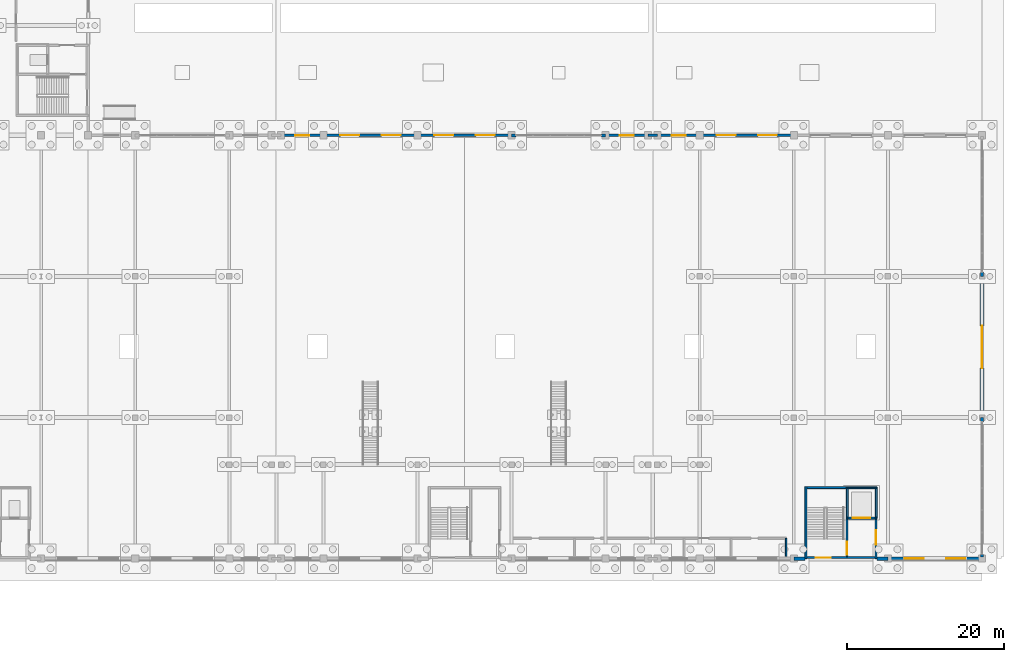
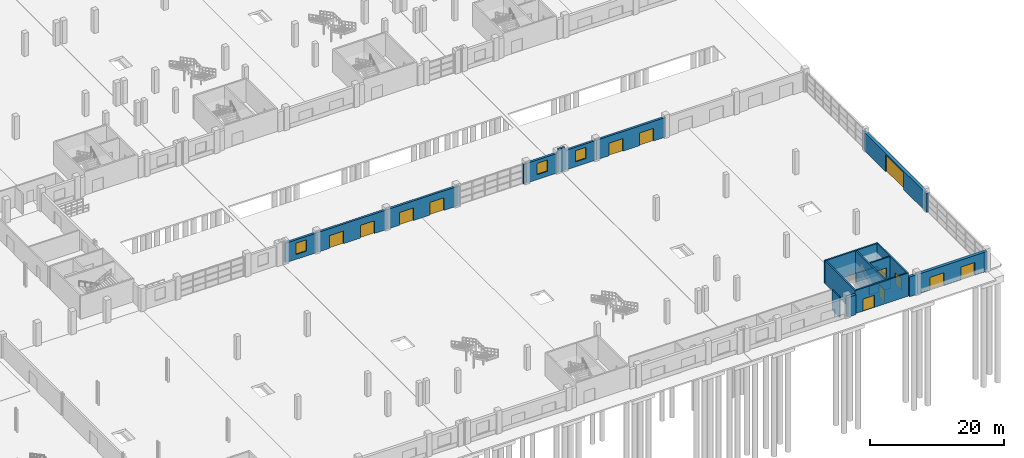
# One storey, part 60 of 77: 27 walls, 13 doors, 3 windows, 16 openings.
"""IFC4 building model written with IfcOpenShell, lengths in metres."""

from ifc_helpers import new_model, si_unit, direction, frame, frame_2d, origin, place, context, subcontext, project, spatial, rectangle, extrude, material, layer, layer_set, type_object, element, fill, save


model = new_model("IFC4")

# Units and contexts
model_context = context("Model", 3, precision=1e-05, world=origin(), true_north=direction((0.0, 1.0)))
body_context = subcontext(model_context, "Body", "Model", "MODEL_VIEW")
ifc_project = project(units=[si_unit("LENGTHUNIT", "METRE"), si_unit("AREAUNIT", "SQUARE_METRE"), si_unit("VOLUMEUNIT", "CUBIC_METRE"), si_unit("PLANEANGLEUNIT", "RADIAN"), si_unit("MASSUNIT", "GRAM", prefix="KILO")], contexts=[model_context])

# Site, building, storey
site_placement = place(None, origin())
site = spatial("IfcSite", under=ifc_project, at=site_placement, CompositionType="ELEMENT")
building_placement = place(site_placement, origin())
building = spatial("IfcBuilding", under=site, at=building_placement, Name="Zilviju Railside Exhibition Hall", CompositionType="ELEMENT")
storey_placement = place(building_placement, origin())
storey = spatial("IfcBuildingStorey", under=building, at=storey_placement, Name="L01", CompositionType="ELEMENT", Elevation=0.0)

# Walls
ifc_material_1 = material(Name="Concrete C35/45", Category="concrete")
ifc_layer_1 = layer(ifc_material_1, 0.25)
ifc_layer_set_1 = layer_set([ifc_layer_1], Name="Concrete C35/45")
wall_type_1 = type_object("IfcWallType", Name="WL-CORE-250", PredefinedType="SHEAR", material=ifc_layer_set_1)
wall_1_placement = place(storey_placement, frame((193.52490234375, 0.0, 0.0), z_axis=(0.0, 0.0, 1.0), x_axis=(0.0, 1.0, 0.0)))
element("IfcWall", 1, at=wall_1_placement, inside=storey, type_object=wall_type_1, Name="Core C03 South Hall East Stairwell Outer Wall L01", PredefinedType="SHEAR", context=body_context, shape_type="SweptSolid", body=[
    extrude(rectangle(XDim=9.199951171875, YDim=0.25, at=frame_2d((4.60009765625, 0.0))), origin(), (0.0, 0.0, 1.0), 4.199951171875),
])
wall_2_placement = place(storey_placement, frame((193.39990234375, 9.074951171875, 0.0), z_axis=(0.0, 0.0, 1.0), x_axis=(1.0, 0.0, 0.0)))
element("IfcWall", 2, at=wall_2_placement, inside=storey, type_object=wall_type_1, Name="Core C03 South Hall East Core Rear Wall L01", PredefinedType="SHEAR", context=body_context, shape_type="SweptSolid", body=[
    extrude(rectangle(XDim=9.2001953125, YDim=0.25, at=frame_2d((4.60009765625, 0.0))), origin(), (0.0, 0.0, 1.0), 4.199951171875),
])

# Wall, opening, door
wall_3_placement = place(storey_placement, frame((202.47509765625, 0.0, 0.0), z_axis=(0.0, 0.0, 1.0), x_axis=(0.0, 1.0, 0.0)))
wall_3 = element("IfcWall", 3, at=wall_3_placement, inside=storey, type_object=wall_type_1, Name="Core C03 South Hall East Lobby Side Wall L01", PredefinedType="SHEAR", context=body_context, shape_type="SweptSolid", body=[
    extrude(rectangle(XDim=9.199951171875, YDim=0.25, at=frame_2d((4.60009765625, 0.0))), origin(), (0.0, 0.0, 1.0), 4.199951171875),
])
opening_1_placement = place(wall_3_placement, frame((1.800048828125, 0.0, 0.0)))
opening_1 = element("IfcOpeningElement", 4, at=opening_1_placement, cuts=wall_3, Name="Opening FD-02", PredefinedType="OPENING", context=body_context, shape_type="SweptSolid", body=[
    extrude(rectangle(XDim=1.800048828125, YDim=2.14990234375, at=frame_2d((0.89990234375, 1.074951171875))), frame((0.0, 0.135009765625, 0.0), z_axis=(0.0, -1.0, 0.0), x_axis=(1.0, 0.0, 0.0)), (0.0, 0.0, 1.0), 0.27001953125),
])
ifc_material_2 = material(Name="Self-closing glazed steel core lobby fire door EI 60", Category="steel")
door_type_1 = type_object("IfcDoorType", Name="DR-LOBBY-180x215", OperationType="NOTDEFINED", PredefinedType="DOOR", material=ifc_material_2)
door_1_placement = place(opening_1_placement, origin())
door_1 = element("IfcDoor", 5, at=door_1_placement, inside=storey, type_object=door_type_1, Name="Core C03 South Hall East Lobby Fire Door L01", OperationType="DOUBLE_DOOR_SINGLE_SWING", OverallHeight=2.14990234375, OverallWidth=1.800048828125, PredefinedType="DOOR", context=body_context, shape_type="SweptSolid", body=[
    extrude(rectangle(XDim=1.800048828125, YDim=2.14990234375, at=frame_2d((0.89990234375, 1.074951171875))), frame((0.0, 0.02490234375, 0.0), z_axis=(0.0, -1.0, 0.0), x_axis=(1.0, 0.0, 0.0)), (0.0, 0.0, 1.0), 0.050048828125),
])
fill(opening_1, door_1)

wall_4_placement = place(storey_placement, frame((198.77490234375, 0.25, 0.0), z_axis=(0.0, 0.0, 1.0), x_axis=(0.0, 1.0, 0.0)))
wall_4 = element("IfcWall", 6, at=wall_4_placement, inside=storey, type_object=wall_type_1, Name="Core C03 South Hall East Stairwell Partition Wall L01", PredefinedType="SHEAR", context=body_context, shape_type="SweptSolid", body=[
    extrude(rectangle(XDim=8.699951171875, YDim=0.25, at=frame_2d((4.35009765625, 0.0))), origin(), (0.0, 0.0, 1.0), 4.199951171875),
])
opening_2_placement = place(wall_4_placement, frame((0.25, 0.0, 0.0)))
opening_2 = element("IfcOpeningElement", 7, at=opening_2_placement, cuts=wall_4, Name="Opening FD-01", PredefinedType="OPENING", context=body_context, shape_type="SweptSolid", body=[
    extrude(rectangle(XDim=1.64990234375, YDim=2.10009765625, at=frame_2d((0.824951171875, 1.050048828125))), frame((0.0, 0.135009765625, 0.0), z_axis=(0.0, -1.0, 0.0), x_axis=(1.0, 0.0, 0.0)), (0.0, 0.0, 1.0), 0.27001953125),
])
ifc_material_3 = material(Name="Self-closing steel stair enclosure fire door EI 60", Category="steel")
door_type_2 = type_object("IfcDoorType", Name="DR-STAIR-165x210", OperationType="NOTDEFINED", PredefinedType="DOOR", material=ifc_material_3)
door_2_placement = place(opening_2_placement, origin())
door_2 = element("IfcDoor", 8, at=door_2_placement, inside=storey, type_object=door_type_2, Name="Core C03 South Hall East Protected Stair Door L01", OperationType="SINGLE_SWING_RIGHT", OverallHeight=2.10009765625, OverallWidth=1.64990234375, PredefinedType="DOOR", context=body_context, shape_type="SweptSolid", body=[
    extrude(rectangle(XDim=1.64990234375, YDim=2.10009765625, at=frame_2d((0.824951171875, 1.050048828125))), frame((0.0, 0.02490234375, 0.0), z_axis=(0.0, -1.0, 0.0), x_axis=(1.0, 0.0, 0.0)), (0.0, 0.0, 1.0), 0.050048828125),
])
fill(opening_2, door_2)

wall_5_placement = place(storey_placement, frame((198.89990234375, 5.175048828125, 0.0), z_axis=(0.0, 0.0, 1.0), x_axis=(1.0, 0.0, 0.0)))
wall_5 = element("IfcWall", 9, at=wall_5_placement, inside=storey, type_object=wall_type_1, Name="Core C03 South Hall East Lift Shaft Front Wall L01", PredefinedType="SHEAR", context=body_context, shape_type="SweptSolid", body=[
    extrude(rectangle(XDim=3.4501953125, YDim=0.25, at=frame_2d((1.72509765625, 0.0))), origin(), (0.0, 0.0, 1.0), 4.199951171875),
])
opening_3_placement = place(wall_5_placement, frame((0.625, 0.0, 0.0)))
opening_3 = element("IfcOpeningElement", 10, at=opening_3_placement, cuts=wall_5, Name="Opening LD-02", PredefinedType="OPENING", context=body_context, shape_type="SweptSolid", body=[
    extrude(rectangle(XDim=2.199951171875, YDim=2.35009765625, at=frame_2d((1.10009765625, 1.175048828125))), frame((0.0, 0.135009765625, 0.0), z_axis=(0.0, -1.0, 0.0), x_axis=(1.0, 0.0, 0.0)), (0.0, 0.0, 1.0), 0.27001953125),
])
ifc_material_4 = material(Name="Heavy freight lift sliding landing door EI 60", Category="wood")
door_type_3 = type_object("IfcDoorType", Name="DR-LIFT-220x235", OperationType="NOTDEFINED", PredefinedType="DOOR", material=ifc_material_4)
door_3_placement = place(opening_3_placement, origin())
door_3 = element("IfcDoor", 11, at=door_3_placement, inside=storey, type_object=door_type_3, Name="Lift Landing Door LF-01 L01", OperationType="SLIDING_TO_LEFT", OverallHeight=2.35009765625, OverallWidth=2.199951171875, PredefinedType="DOOR", context=body_context, shape_type="SweptSolid", body=[
    extrude(rectangle(XDim=2.199951171875, YDim=2.35009765625, at=frame_2d((1.10009765625, 1.175048828125))), frame((0.0, 0.02490234375, 0.0), z_axis=(0.0, -1.0, 0.0), x_axis=(1.0, 0.0, 0.0)), (0.0, 0.0, 1.0), 0.050048828125),
])
fill(opening_3, door_3)

# Walls
ifc_material_5 = material(Name="Concrete C40/50", Category="concrete")
ifc_layer_2 = layer(ifc_material_5, 0.25)
ifc_layer_set_2 = layer_set([ifc_layer_2], Name="Concrete C40/50")
wall_type_2 = type_object("IfcWallType", Name="WL-CORE-300", PredefinedType="SHEAR", material=ifc_layer_set_2)
wall_6_placement = place(storey_placement, frame((198.780029296875, 5.179931640625, -1.60009765625), z_axis=(0.0, 0.0, 1.0), x_axis=(1.0, 0.0, 0.0)))
element("IfcWall", 12, at=wall_6_placement, inside=storey, type_object=wall_type_2, Name="Core C03 South Hall East Lift Pit Wall 1", PredefinedType="SHEAR", context=body_context, shape_type="SweptSolid", body=[
    extrude(rectangle(XDim=3.699951171875, YDim=0.25, at=frame_2d((1.85009765625, 0.0))), origin(), (0.0, 0.0, 1.0), 1.60009765625),
])
wall_7_placement = place(storey_placement, frame((202.47998046875, 5.179931640625, -1.60009765625), z_axis=(0.0, 0.0, 1.0), x_axis=(0.0, 1.0, 0.0)))
element("IfcWall", 13, at=wall_7_placement, inside=storey, type_object=wall_type_2, Name="Core C03 South Hall East Lift Pit Wall 2", PredefinedType="SHEAR", context=body_context, shape_type="SweptSolid", body=[
    extrude(rectangle(XDim=3.900146484375, YDim=0.25, at=frame_2d((1.9501953125, 0.0))), origin(), (0.0, 0.0, 1.0), 1.60009765625),
])
wall_8_placement = place(storey_placement, frame((202.47998046875, 9.080078125, -1.60009765625), z_axis=(0.0, 0.0, 1.0), x_axis=(-1.0, 0.0, 0.0)))
element("IfcWall", 14, at=wall_8_placement, inside=storey, type_object=wall_type_2, Name="Core C03 South Hall East Lift Pit Wall 3", PredefinedType="SHEAR", context=body_context, shape_type="SweptSolid", body=[
    extrude(rectangle(XDim=3.699951171875, YDim=0.25, at=frame_2d((1.85009765625, 0.0))), origin(), (0.0, 0.0, 1.0), 1.60009765625),
])
wall_9_placement = place(storey_placement, frame((198.780029296875, 9.080078125, -1.60009765625), z_axis=(0.0, 0.0, 1.0), x_axis=(0.0, -1.0, 0.0)))
element("IfcWall", 15, at=wall_9_placement, inside=storey, type_object=wall_type_2, Name="Core C03 South Hall East Lift Pit Wall 4", PredefinedType="SHEAR", context=body_context, shape_type="SweptSolid", body=[
    extrude(rectangle(XDim=3.900146484375, YDim=0.25, at=frame_2d((1.9501953125, 0.0))), origin(), (0.0, 0.0, 1.0), 1.60009765625),
])

# Wall, opening, door
wall_10_placement = place(storey_placement, frame((202.60009765625, 0.125, 0.0), z_axis=(0.0, 0.0, 1.0), x_axis=(-1.0, 0.0, 0.0)))
wall_10 = element("IfcWall", 16, at=wall_10_placement, inside=storey, type_object=wall_type_2, Name="Core C03 South Hall East Exterior Core Wall L01", PredefinedType="SHEAR", context=body_context, shape_type="SweptSolid", body=[
    extrude(rectangle(XDim=9.2001953125, YDim=0.25, at=frame_2d((4.60009765625, 0.0))), origin(), (0.0, 0.0, 1.0), 4.199951171875),
])
opening_4_placement = place(wall_10_placement, frame((5.89990234375, 0.0, 0.0)))
opening_4 = element("IfcOpeningElement", 17, at=opening_4_placement, cuts=wall_10, Name="Opening ED-02", PredefinedType="OPENING", context=body_context, shape_type="SweptSolid", body=[
    extrude(rectangle(XDim=1.89990234375, YDim=2.199951171875, at=frame_2d((0.949951171875, 1.10009765625))), frame((0.0, 0.135009765625, 0.0), z_axis=(0.0, -1.0, 0.0), x_axis=(1.0, 0.0, 0.0)), (0.0, 0.0, 1.0), 0.27001953125),
])
ifc_material_6 = material(Name="Insulated aluminium stair discharge door", Category="aluminium")
door_type_4 = type_object("IfcDoorType", Name="DR-EXT-EXIT-190x220", OperationType="NOTDEFINED", PredefinedType="DOOR", material=ifc_material_6)
door_4_placement = place(opening_4_placement, origin())
door_4 = element("IfcDoor", 18, at=door_4_placement, inside=storey, type_object=door_type_4, Name="Core C03 South Hall East Exit Stair Discharge Door ED-C03", OperationType="DOUBLE_DOOR_SINGLE_SWING", OverallHeight=2.199951171875, OverallWidth=1.89990234375, PredefinedType="DOOR", context=body_context, shape_type="SweptSolid", body=[
    extrude(rectangle(XDim=1.89990234375, YDim=2.199951171875, at=frame_2d((0.949951171875, 1.10009765625))), frame((0.0, 0.02490234375, 0.0), z_axis=(0.0, -1.0, 0.0), x_axis=(1.0, 0.0, 0.0)), (0.0, 0.0, 1.0), 0.050048828125),
])
fill(opening_4, door_4)

# Wall, opening, window
ifc_material_7 = material(Name="Insulated courtyard masonry wall", Category="masonry")
ifc_layer_3 = layer(ifc_material_7, 0.360107421875)
ifc_layer_set_3 = layer_set([ifc_layer_3], Name="Insulated courtyard masonry wall")
wall_type_3 = type_object("IfcWallType", Name="WL-EXT-360", PredefinedType="SOLIDWALL", material=ifc_layer_set_3)
wall_11_placement = place(storey_placement, frame((126.60009765625, 54.0, 0.0), z_axis=(0.0, 0.0, 1.0), x_axis=(1.0, 0.0, 0.0)))
wall_11 = element("IfcWall", 19, at=wall_11_placement, inside=storey, type_object=wall_type_3, Name="Exterior Facade Wall L01 North 0022", PredefinedType="SOLIDWALL", context=body_context, shape_type="SweptSolid", body=[
    extrude(rectangle(XDim=5.39990234375, YDim=0.360107421875, at=frame_2d((2.699951171875, 0.0))), origin(), (0.0, 0.0, 1.0), 3.570068359375),
])
opening_5_placement = place(wall_11_placement, frame((1.800048828125, 0.0, 0.89990234375)))
opening_5 = element("IfcOpeningElement", 20, at=opening_5_placement, cuts=wall_11, Name="Opening WN-01", PredefinedType="OPENING", context=body_context, shape_type="SweptSolid", body=[
    extrude(rectangle(XDim=1.800048828125, YDim=2.050048828125, at=frame_2d((0.89990234375, 1.02490234375))), frame((0.0, 0.18994140625, 0.0), z_axis=(0.0, -1.0, 0.0), x_axis=(1.0, 0.0, 0.0)), (0.0, 0.0, 1.0), 0.380126953125),
])
ifc_material_8 = material(Name="Triple-glazed timber-aluminium window unit", Category="wood")
window_type = type_object("IfcWindowType", Name="WIN-JUG-180x205", PartitioningType="DOUBLE_PANEL_VERTICAL", PredefinedType="WINDOW", material=ifc_material_8)
window_1_placement = place(opening_5_placement, origin())
window_1 = element("IfcWindow", 21, at=window_1_placement, inside=storey, type_object=window_type, Name="Facade Window L01 WN-0008", OverallHeight=2.050048828125, OverallWidth=1.800048828125, PartitioningType="SINGLE_PANEL", PredefinedType="WINDOW", context=body_context, shape_type="SweptSolid", body=[
    extrude(rectangle(XDim=1.800048828125, YDim=2.050048828125, at=frame_2d((0.89990234375, 1.02490234375))), frame((0.0, 0.030029296875, 0.0), z_axis=(0.0, -1.0, 0.0), x_axis=(1.0, 0.0, 0.0)), (0.0, 0.0, 1.0), 0.06005859375),
])
fill(opening_5, window_1)

# Wall, openings, doors
wall_12_placement = place(storey_placement, frame((132.0, 54.0, 0.0), z_axis=(0.0, 0.0, 1.0), x_axis=(1.0, 0.0, 0.0)))
wall_12 = element("IfcWall", 22, at=wall_12_placement, inside=storey, type_object=wall_type_3, Name="Exterior Facade Wall L01 North 0023", PredefinedType="SOLIDWALL", context=body_context, shape_type="SweptSolid", body=[
    extrude(rectangle(XDim=12.0, YDim=0.360107421875, at=frame_2d((6.0, 0.0))), origin(), (0.0, 0.0, 1.0), 3.570068359375),
])
opening_6_placement = place(wall_12_placement, frame((2.159912109375, 0.0, 0.0)))
opening_6 = element("IfcOpeningElement", 23, at=opening_6_placement, cuts=wall_12, Name="Opening ED-05", PredefinedType="OPENING", context=body_context, shape_type="SweptSolid", body=[
    extrude(rectangle(XDim=2.39990234375, YDim=2.300048828125, at=frame_2d((1.199951171875, 1.14990234375))), frame((0.0, 0.18994140625, 0.0), z_axis=(0.0, -1.0, 0.0), x_axis=(1.0, 0.0, 0.0)), (0.0, 0.0, 1.0), 0.380126953125),
])
opening_7_placement = place(wall_12_placement, frame((7.43994140625, 0.0, 0.0)))
opening_7 = element("IfcOpeningElement", 24, at=opening_7_placement, cuts=wall_12, Name="Opening ED-05", PredefinedType="OPENING", context=body_context, shape_type="SweptSolid", body=[
    extrude(rectangle(XDim=2.39990234375, YDim=2.300048828125, at=frame_2d((1.199951171875, 1.14990234375))), frame((0.0, 0.18994140625, 0.0), z_axis=(0.0, -1.0, 0.0), x_axis=(1.0, 0.0, 0.0)), (0.0, 0.0, 1.0), 0.380126953125),
])
ifc_material_9 = material(Name="Insulated bronze-clad exhibition hall double exit door", Category="steel")
door_type_5 = type_object("IfcDoorType", Name="DR-EXT-EXIT-240x230", OperationType="NOTDEFINED", PredefinedType="DOOR", material=ifc_material_9)
door_5_placement = place(opening_6_placement, origin())
door_5 = element("IfcDoor", 25, at=door_5_placement, inside=storey, type_object=door_type_5, Name="Pedestrian Final Exit Door ED-013", OperationType="DOUBLE_DOOR_SINGLE_SWING", OverallHeight=2.300048828125, OverallWidth=2.39990234375, PredefinedType="DOOR", context=body_context, shape_type="SweptSolid", body=[
    extrude(rectangle(XDim=2.39990234375, YDim=2.300048828125, at=frame_2d((1.199951171875, 1.14990234375))), frame((0.0, 0.02490234375, 0.0), z_axis=(0.0, -1.0, 0.0), x_axis=(1.0, 0.0, 0.0)), (0.0, 0.0, 1.0), 0.050048828125),
])
fill(opening_6, door_5)
door_6_placement = place(opening_7_placement, origin())
door_6 = element("IfcDoor", 26, at=door_6_placement, inside=storey, type_object=door_type_5, Name="Pedestrian Final Exit Door ED-014", OperationType="DOUBLE_DOOR_SINGLE_SWING", OverallHeight=2.300048828125, OverallWidth=2.39990234375, PredefinedType="DOOR", context=body_context, shape_type="SweptSolid", body=[
    extrude(rectangle(XDim=2.39990234375, YDim=2.300048828125, at=frame_2d((1.199951171875, 1.14990234375))), frame((0.0, 0.02490234375, 0.0), z_axis=(0.0, -1.0, 0.0), x_axis=(1.0, 0.0, 0.0)), (0.0, 0.0, 1.0), 0.050048828125),
])
fill(opening_7, door_6)

wall_13_placement = place(storey_placement, frame((144.0, 54.0, 0.0), z_axis=(0.0, 0.0, 1.0), x_axis=(1.0, 0.0, 0.0)))
wall_13 = element("IfcWall", 27, at=wall_13_placement, inside=storey, type_object=wall_type_3, Name="Exterior Facade Wall L01 North 0024", PredefinedType="SOLIDWALL", context=body_context, shape_type="SweptSolid", body=[
    extrude(rectangle(XDim=12.0, YDim=0.360107421875, at=frame_2d((6.0, 0.0))), origin(), (0.0, 0.0, 1.0), 3.570068359375),
])
opening_8_placement = place(wall_13_placement, frame((2.159912109375, 0.0, 0.0)))
opening_8 = element("IfcOpeningElement", 28, at=opening_8_placement, cuts=wall_13, Name="Opening ED-05", PredefinedType="OPENING", context=body_context, shape_type="SweptSolid", body=[
    extrude(rectangle(XDim=2.39990234375, YDim=2.300048828125, at=frame_2d((1.199951171875, 1.14990234375))), frame((0.0, 0.18994140625, 0.0), z_axis=(0.0, -1.0, 0.0), x_axis=(1.0, 0.0, 0.0)), (0.0, 0.0, 1.0), 0.380126953125),
])
opening_9_placement = place(wall_13_placement, frame((7.43994140625, 0.0, 0.0)))
opening_9 = element("IfcOpeningElement", 29, at=opening_9_placement, cuts=wall_13, Name="Opening ED-05", PredefinedType="OPENING", context=body_context, shape_type="SweptSolid", body=[
    extrude(rectangle(XDim=2.39990234375, YDim=2.300048828125, at=frame_2d((1.199951171875, 1.14990234375))), frame((0.0, 0.18994140625, 0.0), z_axis=(0.0, -1.0, 0.0), x_axis=(1.0, 0.0, 0.0)), (0.0, 0.0, 1.0), 0.380126953125),
])
door_7_placement = place(opening_8_placement, origin())
door_7 = element("IfcDoor", 30, at=door_7_placement, inside=storey, type_object=door_type_5, Name="Pedestrian Final Exit Door ED-015", OperationType="DOUBLE_DOOR_SINGLE_SWING", OverallHeight=2.300048828125, OverallWidth=2.39990234375, PredefinedType="DOOR", context=body_context, shape_type="SweptSolid", body=[
    extrude(rectangle(XDim=2.39990234375, YDim=2.300048828125, at=frame_2d((1.199951171875, 1.14990234375))), frame((0.0, 0.02490234375, 0.0), z_axis=(0.0, -1.0, 0.0), x_axis=(1.0, 0.0, 0.0)), (0.0, 0.0, 1.0), 0.050048828125),
])
fill(opening_8, door_7)
door_8_placement = place(opening_9_placement, origin())
door_8 = element("IfcDoor", 31, at=door_8_placement, inside=storey, type_object=door_type_5, Name="Pedestrian Final Exit Door ED-016", OperationType="DOUBLE_DOOR_SINGLE_SWING", OverallHeight=2.300048828125, OverallWidth=2.39990234375, PredefinedType="DOOR", context=body_context, shape_type="SweptSolid", body=[
    extrude(rectangle(XDim=2.39990234375, YDim=2.300048828125, at=frame_2d((1.199951171875, 1.14990234375))), frame((0.0, 0.02490234375, 0.0), z_axis=(0.0, -1.0, 0.0), x_axis=(1.0, 0.0, 0.0)), (0.0, 0.0, 1.0), 0.050048828125),
])
fill(opening_9, door_8)

# Wall, opening, window
wall_14_placement = place(storey_placement, frame((168.0, 54.0, 0.0), z_axis=(0.0, 0.0, 1.0), x_axis=(1.0, 0.0, 0.0)))
wall_14 = element("IfcWall", 32, at=wall_14_placement, inside=storey, type_object=wall_type_3, Name="Exterior Facade Wall L01 North 0027", PredefinedType="SOLIDWALL", context=body_context, shape_type="SweptSolid", body=[
    extrude(rectangle(XDim=5.39990234375, YDim=0.360107421875, at=frame_2d((2.699951171875, 0.0))), origin(), (0.0, 0.0, 1.0), 3.570068359375),
])
opening_10_placement = place(wall_14_placement, frame((1.800048828125, 0.0, 0.89990234375)))
opening_10 = element("IfcOpeningElement", 33, at=opening_10_placement, cuts=wall_14, Name="Opening WN-01", PredefinedType="OPENING", context=body_context, shape_type="SweptSolid", body=[
    extrude(rectangle(XDim=1.800048828125, YDim=2.050048828125, at=frame_2d((0.89990234375, 1.02490234375))), frame((0.0, 0.18994140625, 0.0), z_axis=(0.0, -1.0, 0.0), x_axis=(1.0, 0.0, 0.0)), (0.0, 0.0, 1.0), 0.380126953125),
])
window_2_placement = place(opening_10_placement, origin())
window_2 = element("IfcWindow", 34, at=window_2_placement, inside=storey, type_object=window_type, Name="Facade Window L01 WN-0009", OverallHeight=2.050048828125, OverallWidth=1.800048828125, PartitioningType="SINGLE_PANEL", PredefinedType="WINDOW", context=body_context, shape_type="SweptSolid", body=[
    extrude(rectangle(XDim=1.800048828125, YDim=2.050048828125, at=frame_2d((0.89990234375, 1.02490234375))), frame((0.0, 0.030029296875, 0.0), z_axis=(0.0, -1.0, 0.0), x_axis=(1.0, 0.0, 0.0)), (0.0, 0.0, 1.0), 0.06005859375),
])
fill(opening_10, window_2)

wall_15_placement = place(storey_placement, frame((174.60009765625, 54.0, 0.0), z_axis=(0.0, 0.0, 1.0), x_axis=(1.0, 0.0, 0.0)))
wall_15 = element("IfcWall", 35, at=wall_15_placement, inside=storey, type_object=wall_type_3, Name="Exterior Facade Wall L01 North 0028", PredefinedType="SOLIDWALL", context=body_context, shape_type="SweptSolid", body=[
    extrude(rectangle(XDim=5.39990234375, YDim=0.360107421875, at=frame_2d((2.699951171875, 0.0))), origin(), (0.0, 0.0, 1.0), 3.570068359375),
])
opening_11_placement = place(wall_15_placement, frame((1.800048828125, 0.0, 0.89990234375)))
opening_11 = element("IfcOpeningElement", 36, at=opening_11_placement, cuts=wall_15, Name="Opening WN-01", PredefinedType="OPENING", context=body_context, shape_type="SweptSolid", body=[
    extrude(rectangle(XDim=1.800048828125, YDim=2.050048828125, at=frame_2d((0.89990234375, 1.02490234375))), frame((0.0, 0.18994140625, 0.0), z_axis=(0.0, -1.0, 0.0), x_axis=(1.0, 0.0, 0.0)), (0.0, 0.0, 1.0), 0.380126953125),
])
window_3_placement = place(opening_11_placement, origin())
window_3 = element("IfcWindow", 37, at=window_3_placement, inside=storey, type_object=window_type, Name="Facade Window L01 WN-0010", OverallHeight=2.050048828125, OverallWidth=1.800048828125, PartitioningType="SINGLE_PANEL", PredefinedType="WINDOW", context=body_context, shape_type="SweptSolid", body=[
    extrude(rectangle(XDim=1.800048828125, YDim=2.050048828125, at=frame_2d((0.89990234375, 1.02490234375))), frame((0.0, 0.030029296875, 0.0), z_axis=(0.0, -1.0, 0.0), x_axis=(1.0, 0.0, 0.0)), (0.0, 0.0, 1.0), 0.06005859375),
])
fill(opening_11, window_3)

# Wall, openings, doors
wall_16_placement = place(storey_placement, frame((180.0, 54.0, 0.0), z_axis=(0.0, 0.0, 1.0), x_axis=(1.0, 0.0, 0.0)))
wall_16 = element("IfcWall", 38, at=wall_16_placement, inside=storey, type_object=wall_type_3, Name="Exterior Facade Wall L01 North 0029", PredefinedType="SOLIDWALL", context=body_context, shape_type="SweptSolid", body=[
    extrude(rectangle(XDim=12.0, YDim=0.360107421875, at=frame_2d((6.0, 0.0))), origin(), (0.0, 0.0, 1.0), 3.580078125),
])
opening_12_placement = place(wall_16_placement, frame((2.159912109375, 0.0, 0.0)))
opening_12 = element("IfcOpeningElement", 39, at=opening_12_placement, cuts=wall_16, Name="Opening ED-05", PredefinedType="OPENING", context=body_context, shape_type="SweptSolid", body=[
    extrude(rectangle(XDim=2.39990234375, YDim=2.300048828125, at=frame_2d((1.199951171875, 1.14990234375))), frame((0.0, 0.18994140625, 0.0), z_axis=(0.0, -1.0, 0.0), x_axis=(1.0, 0.0, 0.0)), (0.0, 0.0, 1.0), 0.380126953125),
])
opening_13_placement = place(wall_16_placement, frame((7.43994140625, 0.0, 0.0)))
opening_13 = element("IfcOpeningElement", 40, at=opening_13_placement, cuts=wall_16, Name="Opening ED-05", PredefinedType="OPENING", context=body_context, shape_type="SweptSolid", body=[
    extrude(rectangle(XDim=2.39990234375, YDim=2.300048828125, at=frame_2d((1.199951171875, 1.14990234375))), frame((0.0, 0.18994140625, 0.0), z_axis=(0.0, -1.0, 0.0), x_axis=(1.0, 0.0, 0.0)), (0.0, 0.0, 1.0), 0.380126953125),
])
door_9_placement = place(opening_12_placement, origin())
door_9 = element("IfcDoor", 41, at=door_9_placement, inside=storey, type_object=door_type_5, Name="Pedestrian Final Exit Door ED-017", OperationType="DOUBLE_DOOR_SINGLE_SWING", OverallHeight=2.300048828125, OverallWidth=2.39990234375, PredefinedType="DOOR", context=body_context, shape_type="SweptSolid", body=[
    extrude(rectangle(XDim=2.39990234375, YDim=2.300048828125, at=frame_2d((1.199951171875, 1.14990234375))), frame((0.0, 0.02490234375, 0.0), z_axis=(0.0, -1.0, 0.0), x_axis=(1.0, 0.0, 0.0)), (0.0, 0.0, 1.0), 0.050048828125),
])
fill(opening_12, door_9)
door_10_placement = place(opening_13_placement, origin())
door_10 = element("IfcDoor", 42, at=door_10_placement, inside=storey, type_object=door_type_5, Name="Pedestrian Final Exit Door ED-018", OperationType="DOUBLE_DOOR_SINGLE_SWING", OverallHeight=2.300048828125, OverallWidth=2.39990234375, PredefinedType="DOOR", context=body_context, shape_type="SweptSolid", body=[
    extrude(rectangle(XDim=2.39990234375, YDim=2.300048828125, at=frame_2d((1.199951171875, 1.14990234375))), frame((0.0, 0.02490234375, 0.0), z_axis=(0.0, -1.0, 0.0), x_axis=(1.0, 0.0, 0.0)), (0.0, 0.0, 1.0), 0.050048828125),
])
fill(opening_13, door_10)

# Walls
wall_17_placement = place(storey_placement, frame((173.39990234375, 54.0, 0.0), z_axis=(0.0, 0.0, 1.0), x_axis=(1.0, 0.0, 0.0)))
element("IfcWall", 43, at=wall_17_placement, inside=storey, type_object=wall_type_3, Name="Exterior Facade Wall L01 North 0596", PredefinedType="SOLIDWALL", context=body_context, shape_type="SweptSolid", body=[
    extrude(rectangle(XDim=1.2001953125, YDim=0.360107421875, at=frame_2d((0.60009765625, 0.0))), origin(), (0.0, 0.0, 1.0), 4.199951171875),
])
ifc_material_10 = material(Name="Insulated cream-brick upper facade wall", Category="masonry")
ifc_layer_4 = layer(ifc_material_10, 0.3798828125)
ifc_layer_set_4 = layer_set([ifc_layer_4], Name="Insulated cream-brick upper facade wall")
wall_type_4 = type_object("IfcWallType", Name="WL-EXT-380", PredefinedType="SOLIDWALL", material=ifc_layer_set_4)
for number, where, z_axis, x_axis, name in (
    (44, (156.001953125, 54.0, 0.0), (0.0, 0.0, 1.0), (1.0, 0.0, 0.0), "Curtain-Wall Jamb Closure Pier L01 0025"),
    (45, (167.449951171875, 54.0, 0.0), (0.0, 0.0, 1.0), (1.0, 0.0, 0.0), "Curtain-Wall Jamb Closure Pier L01 0026"),
):
    element("IfcWall", number, at=place(storey_placement, frame(where, z_axis=z_axis, x_axis=x_axis)), inside=storey, type_object=wall_type_4, Name=name, PredefinedType="SOLIDWALL", context=body_context, shape_type="SweptSolid", body=[
        extrude(rectangle(XDim=0.548095703125, YDim=0.3798828125, at=frame_2d((0.27392578125, 0.0))), origin(), (0.0, 0.0, 1.0), 3.56005859375),
    ])
wall_18_placement = place(storey_placement, frame((216.0, 0.550048828125, 0.0), z_axis=(0.0, 0.0, 1.0), x_axis=(0.0, -1.0, 0.0)))
element("IfcWall", 46, at=wall_18_placement, inside=storey, type_object=wall_type_4, Name="Curtain-Wall Jamb Closure Pier L01 0032", PredefinedType="SOLIDWALL", context=body_context, shape_type="SweptSolid", body=[
    extrude(rectangle(XDim=0.30810546875, YDim=0.3798828125, at=frame_2d((0.154052734375, 0.0))), origin(), (0.0, 0.0, 1.0), 3.3701171875),
])
for number, where, z_axis, x_axis, name in (
    (47, (216.0, 17.998046875, 0.0), (0.0, 0.0, 1.0), (0.0, -1.0, 0.0), "Curtain-Wall Jamb Closure Pier L01 0033"),
    (48, (216.0, 36.550048828125, 0.0), (0.0, 0.0, 1.0), (0.0, -1.0, 0.0), "Curtain-Wall Jamb Closure Pier L01 0035"),
):
    element("IfcWall", number, at=place(storey_placement, frame(where, z_axis=z_axis, x_axis=x_axis)), inside=storey, type_object=wall_type_4, Name=name, PredefinedType="SOLIDWALL", context=body_context, shape_type="SweptSolid", body=[
        extrude(rectangle(XDim=0.548095703125, YDim=0.3798828125, at=frame_2d((0.27392578125, 0.0))), origin(), (0.0, 0.0, 1.0), 3.3701171875),
    ])
ifc_material_11 = material(Name="Insulated Baltic granite plinth masonry wall", Category="masonry")
ifc_layer_5 = layer(ifc_material_11, 0.47998046875)
ifc_layer_set_5 = layer_set([ifc_layer_5], Name="Insulated Baltic granite plinth masonry wall")
wall_type_5 = type_object("IfcWallType", Name="WL-EXT-480", PredefinedType="SOLIDWALL", material=ifc_layer_set_5)
for number, where, z_axis, x_axis, name in (
    (49, (193.39990234375, 0.0, 0.0), (0.0, 0.0, 1.0), (-1.0, 0.0, 0.0), "Exterior Facade Wall L01 South 0015"),
    (50, (204.0, 0.0, 0.0), (0.0, 0.0, 1.0), (-1.0, 0.0, 0.0), "Exterior Facade Wall L01 South 0016"),
):
    element("IfcWall", number, at=place(storey_placement, frame(where, z_axis=z_axis, x_axis=x_axis)), inside=storey, type_object=wall_type_5, Name=name, PredefinedType="SOLIDWALL", context=body_context, shape_type="SweptSolid", body=[
        extrude(rectangle(XDim=1.39990234375, YDim=0.47998046875, at=frame_2d((0.699951171875, 0.0))), origin(), (0.0, 0.0, 1.0), 3.580078125),
    ])

# Wall, openings, doors
wall_19_placement = place(storey_placement, frame((216.0, 0.0, 0.0), z_axis=(0.0, 0.0, 1.0), x_axis=(-1.0, 0.0, 0.0)))
wall_19 = element("IfcWall", 51, at=wall_19_placement, inside=storey, type_object=wall_type_5, Name="Exterior Facade Wall L01 South 0017", PredefinedType="SOLIDWALL", context=body_context, shape_type="SweptSolid", body=[
    extrude(rectangle(XDim=12.0, YDim=0.47998046875, at=frame_2d((6.0, 0.0))), origin(), (0.0, 0.0, 1.0), 3.580078125),
])
opening_14_placement = place(wall_19_placement, frame((2.159912109375, 0.0, 0.0)))
opening_14 = element("IfcOpeningElement", 52, at=opening_14_placement, cuts=wall_19, Name="Opening ED-05", PredefinedType="OPENING", context=body_context, shape_type="SweptSolid", body=[
    extrude(rectangle(XDim=2.39990234375, YDim=2.300048828125, at=frame_2d((1.199951171875, 1.14990234375))), frame((0.0, 0.25, 0.0), z_axis=(0.0, -1.0, 0.0), x_axis=(1.0, 0.0, 0.0)), (0.0, 0.0, 1.0), 0.5),
])
opening_15_placement = place(wall_19_placement, frame((7.43994140625, 0.0, 0.0)))
opening_15 = element("IfcOpeningElement", 53, at=opening_15_placement, cuts=wall_19, Name="Opening ED-05", PredefinedType="OPENING", context=body_context, shape_type="SweptSolid", body=[
    extrude(rectangle(XDim=2.39990234375, YDim=2.300048828125, at=frame_2d((1.199951171875, 1.14990234375))), frame((0.0, 0.25, 0.0), z_axis=(0.0, -1.0, 0.0), x_axis=(1.0, 0.0, 0.0)), (0.0, 0.0, 1.0), 0.5),
])
door_11_placement = place(opening_14_placement, origin())
door_11 = element("IfcDoor", 54, at=door_11_placement, inside=storey, type_object=door_type_5, Name="Pedestrian Final Exit Door ED-011", OperationType="DOUBLE_DOOR_SINGLE_SWING", OverallHeight=2.300048828125, OverallWidth=2.39990234375, PredefinedType="DOOR", context=body_context, shape_type="SweptSolid", body=[
    extrude(rectangle(XDim=2.39990234375, YDim=2.300048828125, at=frame_2d((1.199951171875, 1.14990234375))), frame((0.0, 0.02490234375, 0.0), z_axis=(0.0, -1.0, 0.0), x_axis=(1.0, 0.0, 0.0)), (0.0, 0.0, 1.0), 0.050048828125),
])
fill(opening_14, door_11)
door_12_placement = place(opening_15_placement, origin())
door_12 = element("IfcDoor", 55, at=door_12_placement, inside=storey, type_object=door_type_5, Name="Pedestrian Final Exit Door ED-012", OperationType="DOUBLE_DOOR_SINGLE_SWING", OverallHeight=2.300048828125, OverallWidth=2.39990234375, PredefinedType="DOOR", context=body_context, shape_type="SweptSolid", body=[
    extrude(rectangle(XDim=2.39990234375, YDim=2.300048828125, at=frame_2d((1.199951171875, 1.14990234375))), frame((0.0, 0.02490234375, 0.0), z_axis=(0.0, -1.0, 0.0), x_axis=(1.0, 0.0, 0.0)), (0.0, 0.0, 1.0), 0.050048828125),
])
fill(opening_15, door_12)

# Wall, opening, door
wall_20_placement = place(storey_placement, frame((216.0, 36.0, 0.0), z_axis=(0.0, 0.0, 1.0), x_axis=(0.0, -1.0, 0.0)))
wall_20 = element("IfcWall", 56, at=wall_20_placement, inside=storey, type_object=wall_type_5, Name="Exterior Facade Wall L01 East 0034", PredefinedType="SOLIDWALL", context=body_context, shape_type="SweptSolid", body=[
    extrude(rectangle(XDim=18.0, YDim=0.47998046875, at=frame_2d((9.0, 0.0))), origin(), (0.0, 0.0, 1.0), 3.3701171875),
])
opening_16_placement = place(wall_20_placement, frame((6.300048828125, 0.0, 0.0)))
opening_16 = element("IfcOpeningElement", 57, at=opening_16_placement, cuts=wall_20, Name="Opening VG-02", PredefinedType="OPENING", context=body_context, shape_type="SweptSolid", body=[
    extrude(rectangle(XDim=5.39990234375, YDim=3.10009765625, at=frame_2d((2.699951171875, 1.550048828125))), frame((0.0, 0.25, 0.0), z_axis=(0.0, -1.0, 0.0), x_axis=(1.0, 0.0, 0.0)), (0.0, 0.0, 1.0), 0.5),
])
ifc_material_12 = material(Name="Insulated steel hall freight roller shutter gate", Category="steel")
door_type_6 = type_object("IfcDoorType", Name="GT-HGV-540x360", OperationType="NOTDEFINED", PredefinedType="GATE", material=ifc_material_12)
door_13_placement = place(opening_16_placement, origin())
door_13 = element("IfcDoor", 58, at=door_13_placement, inside=storey, type_object=door_type_6, Name="South Hall East Freight Shutter Gate VG-04", OperationType="ROLLINGUP", OverallHeight=3.10009765625, OverallWidth=5.39990234375, PredefinedType="GATE", context=body_context, shape_type="SweptSolid", body=[
    extrude(rectangle(XDim=5.39990234375, YDim=3.10009765625, at=frame_2d((2.699951171875, 1.550048828125))), frame((0.0, 0.02490234375, 0.0), z_axis=(0.0, -1.0, 0.0), x_axis=(1.0, 0.0, 0.0)), (0.0, 0.0, 1.0), 0.050048828125),
])
fill(opening_16, door_13)

# Wall
ifc_material_13 = material(Name="Accessible WC sanitary chase wall", Category="masonry")
ifc_layer_6 = layer(ifc_material_13, 0.18994140625)
ifc_layer_set_6 = layer_set([ifc_layer_6], Name="Accessible WC sanitary chase wall")
wall_type_6 = type_object("IfcWallType", Name="WL-PLMB-190", PredefinedType="PLUMBINGWALL", material=ifc_layer_set_6)
wall_21_placement = place(storey_placement, frame((191.0, 0.300048828125, 0.0), z_axis=(0.0, 0.0, 1.0), x_axis=(0.0, 1.0, 0.0)))
element("IfcWall", 59, at=wall_21_placement, inside=storey, type_object=wall_type_6, Name="Sanitary Cross Partition", PredefinedType="PLUMBINGWALL", context=body_context, shape_type="SweptSolid", body=[
    extrude(rectangle(XDim=2.300048828125, YDim=0.18994140625, at=frame_2d((1.14990234375, 0.0))), origin(), (0.0, 0.0, 1.0), 3.699951171875),
])

save(model, "model.ifc")
